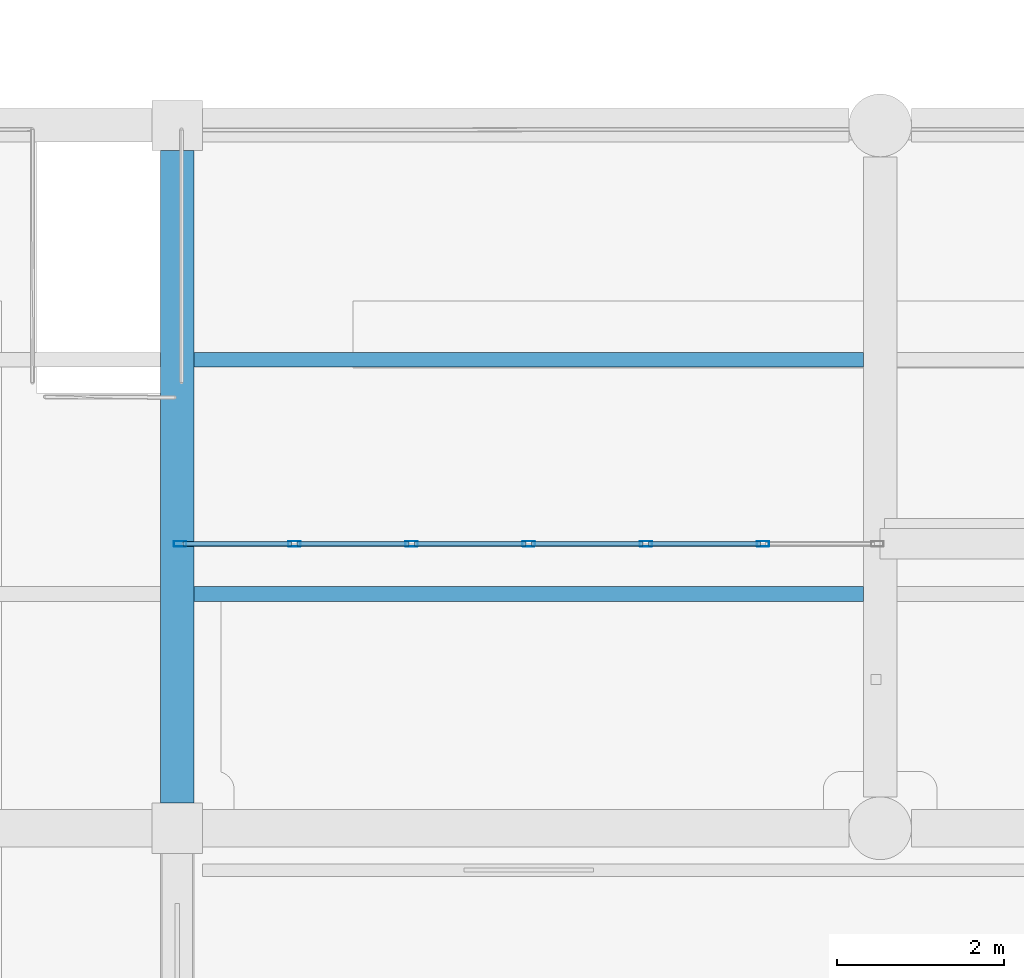
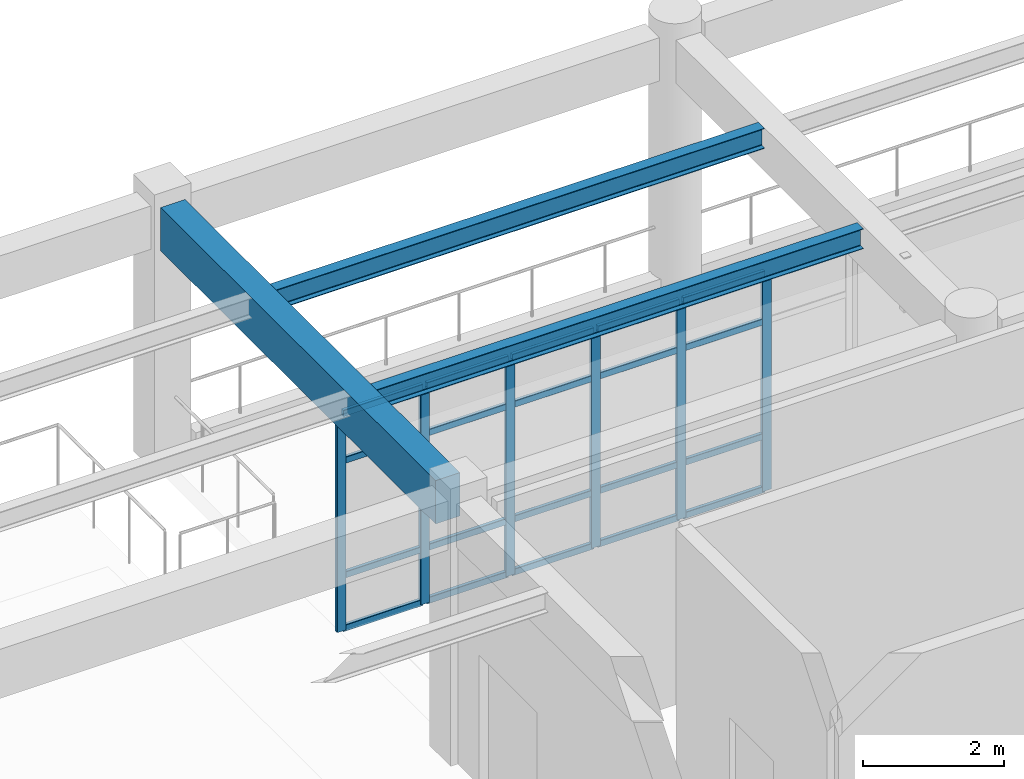
# One storey, part 7 of 111: 26 members, 3 beams, 1 element without a shape of its own.
"""IFC4 building model written with IfcOpenShell, lengths in metres."""

import ifcopenshell
import ifcopenshell.guid

model = None  # the IFC model being written
_history = None  # IfcOwnerHistory: only IFC2X3 demands one
_inside = {}  # id of a spatial element -> (the spatial element, [elements in it])
_under = {}  # id of a project, library or spatial element -> (it, [spatial elements below it])
_declared = {}  # id of a project -> (the project, [libraries it declares])
_typed = {}  # id of a type object -> (the type object, [elements of that type])
_made_of = {}  # id of a material, layer set ... -> (it, [elements and type objects made of it])


def new_model(schema):
    """Start an empty IFC model of exactly this schema.

    Asked for "IFC4X3", IfcOpenShell would pick the latest addendum, in which some entities
    have other attributes; the version numbers below select the first issue.
    IFC2X3 requires an IfcOwnerHistory on every rooted entity: one is made here for all.
    """
    global model, _history
    if schema == "IFC4X3":
        model = ifcopenshell.file(schema_version=(4, 3, 0, 0))
    else:
        model = ifcopenshell.file(schema=schema)
    _inside.clear()
    _under.clear()
    _declared.clear()
    _typed.clear()
    _made_of.clear()
    _history = None
    if model.schema == "IFC2X3":
        org = make("IfcOrganization", Name="unknown")
        user = make(
            "IfcPersonAndOrganization",
            ThePerson=make("IfcPerson", FamilyName="unknown"),
            TheOrganization=org,
        )
        app = make(
            "IfcApplication",
            ApplicationDeveloper=org,
            Version="unknown",
            ApplicationFullName="unknown",
            ApplicationIdentifier="unknown",
        )
        _history = make(
            "IfcOwnerHistory",
            OwningUser=user,
            OwningApplication=app,
            ChangeAction="ADDED",
            CreationDate=0,
        )
    return model


def make(cls, **values):
    """One entity of the class cls with the attributes given. An attribute that is None is left unset."""
    return model.create_entity(
        cls, **{name: value for name, value in values.items() if value is not None}
    )


def rooted(cls, **values):
    """An entity with a GlobalId (a new one), such as an element, a storey or a relation."""
    return make(cls, GlobalId=ifcopenshell.guid.new(), OwnerHistory=_history, **values)


def si_unit(unit_type, name, prefix=None):
    """IfcSIUnit, for example si_unit("LENGTHUNIT", "METRE", prefix="MILLI")."""
    return make("IfcSIUnit", UnitType=unit_type, Prefix=prefix, Name=name)


def assignment(units):
    """IfcUnitAssignment: the units of a project."""
    return None if units is None else make("IfcUnitAssignment", Units=units)


def point(xyz):
    """IfcCartesianPoint."""
    return None if xyz is None else make("IfcCartesianPoint", Coordinates=xyz)


def direction(xyz):
    """IfcDirection."""
    return None if xyz is None else make("IfcDirection", DirectionRatios=xyz)


def frame(location, z_axis=None, x_axis=None):
    """IfcAxis2Placement3D, a coordinate frame: its origin and axes. An axis left out is left unset."""
    return make(
        "IfcAxis2Placement3D",
        Location=point(location),
        Axis=direction(z_axis),
        RefDirection=direction(x_axis),
    )


def frame_2d(location, x_axis=None):
    """IfcAxis2Placement2D, a coordinate frame in the plane: its origin and x axis."""
    return make(
        "IfcAxis2Placement2D", Location=point(location), RefDirection=direction(x_axis)
    )


def origin():
    """The frame at (0, 0, 0) with its axes left unset."""
    return frame((0.0, 0.0, 0.0))


def origin_2d():
    """The frame at (0, 0) in the plane with its x axis left unset."""
    return frame_2d((0.0, 0.0))


def place(relative_to, where):
    """IfcLocalPlacement: puts the frame where relative to a parent placement (None: the world)."""
    return make(
        "IfcLocalPlacement", PlacementRelTo=relative_to, RelativePlacement=where
    )


def context(
    kind, dimensions, precision=None, world=None, true_north=None, identifier=None
):
    """IfcGeometricRepresentationContext, for example the 3D "Model" context."""
    return make(
        "IfcGeometricRepresentationContext",
        ContextIdentifier=identifier,
        ContextType=kind,
        CoordinateSpaceDimension=dimensions,
        Precision=precision,
        WorldCoordinateSystem=world,
        TrueNorth=true_north,
    )


def subcontext(parent, identifier, kind, view, scale=None):
    """IfcGeometricRepresentationSubContext, for example "Body" below "Model"."""
    return make(
        "IfcGeometricRepresentationSubContext",
        ContextIdentifier=identifier,
        ContextType=kind,
        ParentContext=parent,
        TargetScale=scale,
        TargetView=view,
    )


def project(units=None, contexts=None):
    """IfcProject with its units and contexts."""
    return rooted(
        "IfcProject",
        Name="project",
        RepresentationContexts=contexts,
        UnitsInContext=assignment(units),
    )


def spatial(cls, under=None, at=None, **own):
    """A site, building, storey or space (cls), placed at a placement, below another one or the project."""
    s = rooted(cls, ObjectPlacement=at, **own)
    if under is not None:
        _under.setdefault(under.id(), (under, []))[1].append(s)
    return s


def profile(cls, at=None, kind="AREA", **sizes):
    """A parametric profile (cls). Its sizes go by their IFC names, for example OverallWidth=200.0."""
    return make(cls, ProfileType=kind, Position=at, **sizes)


def rectangle(**sizes):
    """IfcRectangleProfileDef."""
    return profile("IfcRectangleProfileDef", **sizes)


def hollow_rectangle(**sizes):
    """IfcRectangleHollowProfileDef."""
    return profile("IfcRectangleHollowProfileDef", **sizes)


def i_section(**sizes):
    """IfcIShapeProfileDef."""
    return profile("IfcIShapeProfileDef", **sizes)


def extrude(swept, where, along, depth):
    """IfcExtrudedAreaSolid: the profile swept, set in the frame where, extruded along a direction by depth."""
    return make(
        "IfcExtrudedAreaSolid",
        SweptArea=swept,
        Position=where,
        ExtrudedDirection=direction(along),
        Depth=depth,
    )


def shape(context_of_items, identifier, shape_type, items):
    """IfcShapeRepresentation: the items that make up one representation, for example the "Body"."""
    return make(
        "IfcShapeRepresentation",
        ContextOfItems=context_of_items,
        RepresentationIdentifier=identifier,
        RepresentationType=shape_type,
        Items=items,
    )


def material(Name=None, Category=None):
    """IfcMaterial."""
    return make("IfcMaterial", Name=Name, Category=Category)


def material_profile(
    of_material, cross_section, Name=None, Category=None, Priority=None
):
    """IfcMaterialProfile: a cross section and its material."""
    return make(
        "IfcMaterialProfile",
        Name=Name,
        Material=of_material,
        Profile=cross_section,
        Priority=Priority,
        Category=Category,
    )


def profile_set(profiles, Name=None, composite=None):
    """IfcMaterialProfileSet."""
    return make(
        "IfcMaterialProfileSet",
        Name=Name,
        MaterialProfiles=profiles,
        CompositeProfile=composite,
    )


def made_of(thing, what):
    """Note that an element or type object is made of a material, layer set ...; save() writes the relation."""
    if what is not None:
        _made_of.setdefault(what.id(), (what, []))[1].append(thing)
    return thing


def type_object(cls, material=None, **own):
    """A type object (cls), such as IfcWallType, which elements share."""
    return made_of(rooted(cls, **own), material)


def element(
    cls,
    number,
    at=None,
    inside=None,
    cuts=None,
    type_object=None,
    material=None,
    context=None,
    identifier="Body",
    shape_type=None,
    held_by="IfcProductDefinitionShape",
    body=None,
    shapes=None,
    **own,
):
    """One element of the class cls, such as IfcWall. Its Tag is "e" and its number.

    at: its placement. inside: the storey or other place that contains it. cuts: it is an
    opening in that element (IfcRelVoidsElement). A single representation is given by context,
    identifier, shape_type and body (its items); several are given by shapes. held_by: the class
    of the entity that holds the representations. save() writes the other relations.
    """
    e = rooted(cls, Tag="e%d" % number, ObjectPlacement=at, **own)
    if body is not None:
        shapes = [shape(context, identifier, shape_type, body)]
    if shapes is not None:
        e.Representation = make(held_by, Representations=shapes)
    if inside is not None:
        _inside.setdefault(inside.id(), (inside, []))[1].append(e)
    if cuts is not None:
        rooted(
            "IfcRelVoidsElement", RelatingBuildingElement=cuts, RelatedOpeningElement=e
        )
    if type_object is not None:
        _typed.setdefault(type_object.id(), (type_object, []))[1].append(e)
    return made_of(e, material)


def aggregate(whole, parts):
    """IfcRelAggregates: a whole, such as a stair, and the parts it consists of."""
    return rooted("IfcRelAggregates", RelatingObject=whole, RelatedObjects=parts)


def save(model, path):
    """Write the relations noted so far, then the file.

    IfcRelAggregates (storeys below a building ...), IfcRelContainedInSpatialStructure (elements
    in a storey), IfcRelDefinesByType, IfcRelAssociatesMaterial and IfcRelDeclares: one each for
    every whole, place, type object, material and project.
    """
    for whole, parts in _under.values():
        aggregate(whole, parts)
    for where, things in _inside.values():
        rooted(
            "IfcRelContainedInSpatialStructure",
            RelatedElements=things,
            RelatingStructure=where,
        )
    for kind, things in _typed.values():
        rooted("IfcRelDefinesByType", RelatedObjects=things, RelatingType=kind)
    for what, things in _made_of.values():
        rooted("IfcRelAssociatesMaterial", RelatedObjects=things, RelatingMaterial=what)
    for by, libraries in _declared.values():
        rooted("IfcRelDeclares", RelatingContext=by, RelatedDefinitions=libraries)
    model.write(path)


model = new_model("IFC4")

# Units and contexts
model_context = context("Model", 3, precision=1e-05, world=origin(), true_north=direction((0.0, 1.0)))
body_context = subcontext(model_context, "Body", "Model", "MODEL_VIEW")
ifc_project = project(units=[si_unit("LENGTHUNIT", "METRE"), si_unit("AREAUNIT", "SQUARE_METRE"), si_unit("VOLUMEUNIT", "CUBIC_METRE"), si_unit("PLANEANGLEUNIT", "RADIAN"), si_unit("MASSUNIT", "GRAM", prefix="KILO")], contexts=[model_context])

# Site, building, storey
site_placement = place(None, origin())
site = spatial("IfcSite", under=ifc_project, at=site_placement, CompositionType="ELEMENT")
building_placement = place(site_placement, origin())
building = spatial("IfcBuilding", under=site, at=building_placement, Name="Canglan Escarpment Cableway Terminal", CompositionType="ELEMENT")
storey_placement = place(building_placement, frame((0.0, 0.0, 4.800048828125)))
storey = spatial("IfcBuildingStorey", under=building, at=storey_placement, Name="L01", CompositionType="ELEMENT", Elevation=4.800048828125)

# Beam
ifc_material_1 = material(Name="Concrete C40", Category="concrete")
ifc_material_profile_1 = material_profile(ifc_material_1, rectangle(XDim=0.39990234375, YDim=0.75, at=origin_2d()), Name="RC 400x750")
ifc_profile_set_1 = profile_set([ifc_material_profile_1], Name="Concrete C40")
beam_type_1 = type_object("IfcBeamType", Name="BM-RC400x750", PredefinedType="BEAM", material=ifc_profile_set_1)
beam_placement = place(storey_placement, frame((16.39990234375, 16.699951171875, 4.175048828125), z_axis=(0.0, 1.0, 0.0), x_axis=(-1.0, 0.0, 0.0)))
element("IfcBeam", 1, at=beam_placement, inside=storey, type_object=beam_type_1, Name="Primary transverse girder B-03", PredefinedType="BEAM", context=body_context, shape_type="SweptSolid", body=[
    extrude(rectangle(XDim=0.39990234375, YDim=0.75, at=origin_2d()), origin(), (0.0, 0.0, 1.0), 7.800048828125),
])

# Curtain wall, members
ifc_material_2 = material(Name="Anodized bronze aluminium and Low-E double glazing", Category="aluminium")
curtain_wall_type = type_object("IfcCurtainWallType", Name="CW-BAY-8400x3775", PredefinedType="NOTDEFINED", material=ifc_material_2)
curtain_wall_placement = place(storey_placement, origin())
curtain_wall = element("IfcCurtainWall", 2, at=curtain_wall_placement, inside=storey, type_object=curtain_wall_type, Name="Classical bay-between-piers glazed curtain wall CW-02", PredefinedType="NOTDEFINED")
ifc_material_3 = material(Name="Thermally broken anodized aluminium 6063-T6", Category="aluminium")
ifc_material_profile_2 = material_profile(ifc_material_3, hollow_rectangle(XDim=0.06494140625, YDim=0.14990234375, WallThickness=0.00341796875, InnerFilletRadius=0.00341796875, OuterFilletRadius=0.007080078125, at=origin_2d()), Name="ALU-MULL 65x150x3.5")
ifc_profile_set_2 = profile_set([ifc_material_profile_2], Name="Thermally broken anodized aluminium 6063-T6")
member_type_1 = type_object("IfcMemberType", Name="CWM-02", PredefinedType="MULLION", material=ifc_profile_set_2)
member_1_placement = place(storey_placement, frame((23.39990234375, 19.800048828125, 0.0), z_axis=(0.0, 0.0, 1.0), x_axis=(0.0, -1.0, 0.0)))
member_1 = element("IfcMember", 3, at=member_1_placement, type_object=member_type_1, Name="CW-02 mullion 2", PredefinedType="MULLION", context=body_context, shape_type="SweptSolid", body=[
    extrude(hollow_rectangle(XDim=0.06494140625, YDim=0.14990234375, WallThickness=0.00341796875, InnerFilletRadius=0.00341796875, OuterFilletRadius=0.007080078125, at=origin_2d()), origin(), (0.0, 0.0, 1.0), 3.784912109375),
])
member_2_placement = place(storey_placement, frame((22.0, 19.800048828125, 0.0), z_axis=(0.0, 0.0, 1.0), x_axis=(0.0, -1.0, 0.0)))
member_2 = element("IfcMember", 4, at=member_2_placement, type_object=member_type_1, Name="CW-02 mullion 3", PredefinedType="MULLION", context=body_context, shape_type="SweptSolid", body=[
    extrude(hollow_rectangle(XDim=0.06494140625, YDim=0.14990234375, WallThickness=0.00341796875, InnerFilletRadius=0.00341796875, OuterFilletRadius=0.007080078125, at=origin_2d()), origin(), (0.0, 0.0, 1.0), 3.784912109375),
])
member_3_placement = place(storey_placement, frame((20.60009765625, 19.800048828125, 0.0), z_axis=(0.0, 0.0, 1.0), x_axis=(0.0, -1.0, 0.0)))
member_3 = element("IfcMember", 5, at=member_3_placement, type_object=member_type_1, Name="CW-02 mullion 4", PredefinedType="MULLION", context=body_context, shape_type="SweptSolid", body=[
    extrude(hollow_rectangle(XDim=0.06494140625, YDim=0.14990234375, WallThickness=0.00341796875, InnerFilletRadius=0.00341796875, OuterFilletRadius=0.007080078125, at=origin_2d()), origin(), (0.0, 0.0, 1.0), 3.784912109375),
])
member_4_placement = place(storey_placement, frame((19.199951171875, 19.800048828125, 0.0), z_axis=(0.0, 0.0, 1.0), x_axis=(0.0, -1.0, 0.0)))
member_4 = element("IfcMember", 6, at=member_4_placement, type_object=member_type_1, Name="CW-02 mullion 5", PredefinedType="MULLION", context=body_context, shape_type="SweptSolid", body=[
    extrude(hollow_rectangle(XDim=0.06494140625, YDim=0.14990234375, WallThickness=0.00341796875, InnerFilletRadius=0.00341796875, OuterFilletRadius=0.007080078125, at=origin_2d()), origin(), (0.0, 0.0, 1.0), 3.784912109375),
])
member_5_placement = place(storey_placement, frame((17.800048828125, 19.800048828125, 0.0), z_axis=(0.0, 0.0, 1.0), x_axis=(0.0, -1.0, 0.0)))
member_5 = element("IfcMember", 7, at=member_5_placement, type_object=member_type_1, Name="CW-02 mullion 6", PredefinedType="MULLION", context=body_context, shape_type="SweptSolid", body=[
    extrude(hollow_rectangle(XDim=0.06494140625, YDim=0.14990234375, WallThickness=0.00341796875, InnerFilletRadius=0.00341796875, OuterFilletRadius=0.007080078125, at=origin_2d()), origin(), (0.0, 0.0, 1.0), 3.784912109375),
])
member_6_placement = place(storey_placement, frame((16.4326171875, 19.800048828125, 0.0), z_axis=(0.0, 0.0, 1.0), x_axis=(0.0, -1.0, 0.0)))
member_6 = element("IfcMember", 8, at=member_6_placement, type_object=member_type_1, Name="CW-02 mullion 7", PredefinedType="MULLION", context=body_context, shape_type="SweptSolid", body=[
    extrude(hollow_rectangle(XDim=0.06494140625, YDim=0.14990234375, WallThickness=0.00341796875, InnerFilletRadius=0.00341796875, OuterFilletRadius=0.007080078125, at=origin_2d()), origin(), (0.0, 0.0, 1.0), 3.784912109375),
])
ifc_material_profile_3 = material_profile(ifc_material_3, hollow_rectangle(XDim=0.06005859375, YDim=0.110107421875, WallThickness=0.0029296875, InnerFilletRadius=0.0029296875, OuterFilletRadius=0.006103515625, at=origin_2d()), Name="ALU-TRAN 60x110x3")
ifc_profile_set_3 = profile_set([ifc_material_profile_3], Name="Thermally broken anodized aluminium 6063-T6")
member_type_2 = type_object("IfcMemberType", Name="CWT-02", PredefinedType="USERDEFINED", material=ifc_profile_set_3)
member_7_placement = place(storey_placement, frame((23.367431640625, 19.800048828125, 0.030029296875), z_axis=(-1.0, 0.0, 0.0), x_axis=(0.0, -1.0, 0.0)))
member_7 = element("IfcMember", 9, at=member_7_placement, type_object=member_type_2, Name="CW-02 transom 2.1", ObjectType="TRANSOM", PredefinedType="USERDEFINED", context=body_context, shape_type="SweptSolid", body=[
    extrude(hollow_rectangle(XDim=0.06005859375, YDim=0.110107421875, WallThickness=0.0029296875, InnerFilletRadius=0.0029296875, OuterFilletRadius=0.006103515625, at=origin_2d()), origin(), (0.0, 0.0, 1.0), 1.3349609375),
])
member_8_placement = place(storey_placement, frame((23.367431640625, 19.800048828125, 0.949951171875), z_axis=(-1.0, 0.0, 0.0), x_axis=(0.0, -1.0, 0.0)))
member_8 = element("IfcMember", 10, at=member_8_placement, type_object=member_type_2, Name="CW-02 transom 2.2", ObjectType="TRANSOM", PredefinedType="USERDEFINED", context=body_context, shape_type="SweptSolid", body=[
    extrude(hollow_rectangle(XDim=0.06005859375, YDim=0.110107421875, WallThickness=0.0029296875, InnerFilletRadius=0.0029296875, OuterFilletRadius=0.006103515625, at=origin_2d()), origin(), (0.0, 0.0, 1.0), 1.3349609375),
])
member_9_placement = place(storey_placement, frame((23.367431640625, 19.800048828125, 2.93505859375), z_axis=(-1.0, 0.0, 0.0), x_axis=(0.0, -1.0, 0.0)))
member_9 = element("IfcMember", 11, at=member_9_placement, type_object=member_type_2, Name="CW-02 transom 2.3", ObjectType="TRANSOM", PredefinedType="USERDEFINED", context=body_context, shape_type="SweptSolid", body=[
    extrude(hollow_rectangle(XDim=0.06005859375, YDim=0.110107421875, WallThickness=0.0029296875, InnerFilletRadius=0.0029296875, OuterFilletRadius=0.006103515625, at=origin_2d()), origin(), (0.0, 0.0, 1.0), 1.3349609375),
])
member_10_placement = place(storey_placement, frame((23.367431640625, 19.800048828125, 3.7548828125), z_axis=(-1.0, 0.0, 0.0), x_axis=(0.0, -1.0, 0.0)))
member_10 = element("IfcMember", 12, at=member_10_placement, type_object=member_type_2, Name="CW-02 transom 2.4", ObjectType="TRANSOM", PredefinedType="USERDEFINED", context=body_context, shape_type="SweptSolid", body=[
    extrude(hollow_rectangle(XDim=0.06005859375, YDim=0.110107421875, WallThickness=0.0029296875, InnerFilletRadius=0.0029296875, OuterFilletRadius=0.006103515625, at=origin_2d()), origin(), (0.0, 0.0, 1.0), 1.3349609375),
])
member_11_placement = place(storey_placement, frame((21.967529296875, 19.800048828125, 0.030029296875), z_axis=(-1.0, 0.0, 0.0), x_axis=(0.0, -1.0, 0.0)))
member_11 = element("IfcMember", 13, at=member_11_placement, type_object=member_type_2, Name="CW-02 transom 3.1", ObjectType="TRANSOM", PredefinedType="USERDEFINED", context=body_context, shape_type="SweptSolid", body=[
    extrude(hollow_rectangle(XDim=0.06005859375, YDim=0.110107421875, WallThickness=0.0029296875, InnerFilletRadius=0.0029296875, OuterFilletRadius=0.006103515625, at=origin_2d()), origin(), (0.0, 0.0, 1.0), 1.3349609375),
])
member_12_placement = place(storey_placement, frame((21.967529296875, 19.800048828125, 0.949951171875), z_axis=(-1.0, 0.0, 0.0), x_axis=(0.0, -1.0, 0.0)))
member_12 = element("IfcMember", 14, at=member_12_placement, type_object=member_type_2, Name="CW-02 transom 3.2", ObjectType="TRANSOM", PredefinedType="USERDEFINED", context=body_context, shape_type="SweptSolid", body=[
    extrude(hollow_rectangle(XDim=0.06005859375, YDim=0.110107421875, WallThickness=0.0029296875, InnerFilletRadius=0.0029296875, OuterFilletRadius=0.006103515625, at=origin_2d()), origin(), (0.0, 0.0, 1.0), 1.3349609375),
])
member_13_placement = place(storey_placement, frame((21.967529296875, 19.800048828125, 2.93505859375), z_axis=(-1.0, 0.0, 0.0), x_axis=(0.0, -1.0, 0.0)))
member_13 = element("IfcMember", 15, at=member_13_placement, type_object=member_type_2, Name="CW-02 transom 3.3", ObjectType="TRANSOM", PredefinedType="USERDEFINED", context=body_context, shape_type="SweptSolid", body=[
    extrude(hollow_rectangle(XDim=0.06005859375, YDim=0.110107421875, WallThickness=0.0029296875, InnerFilletRadius=0.0029296875, OuterFilletRadius=0.006103515625, at=origin_2d()), origin(), (0.0, 0.0, 1.0), 1.3349609375),
])
member_14_placement = place(storey_placement, frame((21.967529296875, 19.800048828125, 3.7548828125), z_axis=(-1.0, 0.0, 0.0), x_axis=(0.0, -1.0, 0.0)))
member_14 = element("IfcMember", 16, at=member_14_placement, type_object=member_type_2, Name="CW-02 transom 3.4", ObjectType="TRANSOM", PredefinedType="USERDEFINED", context=body_context, shape_type="SweptSolid", body=[
    extrude(hollow_rectangle(XDim=0.06005859375, YDim=0.110107421875, WallThickness=0.0029296875, InnerFilletRadius=0.0029296875, OuterFilletRadius=0.006103515625, at=origin_2d()), origin(), (0.0, 0.0, 1.0), 1.3349609375),
])
member_15_placement = place(storey_placement, frame((20.5673828125, 19.800048828125, 0.030029296875), z_axis=(-1.0, 0.0, 0.0), x_axis=(0.0, -1.0, 0.0)))
member_15 = element("IfcMember", 17, at=member_15_placement, type_object=member_type_2, Name="CW-02 transom 4.1", ObjectType="TRANSOM", PredefinedType="USERDEFINED", context=body_context, shape_type="SweptSolid", body=[
    extrude(hollow_rectangle(XDim=0.06005859375, YDim=0.110107421875, WallThickness=0.0029296875, InnerFilletRadius=0.0029296875, OuterFilletRadius=0.006103515625, at=origin_2d()), origin(), (0.0, 0.0, 1.0), 1.3349609375),
])
member_16_placement = place(storey_placement, frame((20.5673828125, 19.800048828125, 0.949951171875), z_axis=(-1.0, 0.0, 0.0), x_axis=(0.0, -1.0, 0.0)))
member_16 = element("IfcMember", 18, at=member_16_placement, type_object=member_type_2, Name="CW-02 transom 4.2", ObjectType="TRANSOM", PredefinedType="USERDEFINED", context=body_context, shape_type="SweptSolid", body=[
    extrude(hollow_rectangle(XDim=0.06005859375, YDim=0.110107421875, WallThickness=0.0029296875, InnerFilletRadius=0.0029296875, OuterFilletRadius=0.006103515625, at=origin_2d()), origin(), (0.0, 0.0, 1.0), 1.3349609375),
])
member_17_placement = place(storey_placement, frame((20.5673828125, 19.800048828125, 2.93505859375), z_axis=(-1.0, 0.0, 0.0), x_axis=(0.0, -1.0, 0.0)))
member_17 = element("IfcMember", 19, at=member_17_placement, type_object=member_type_2, Name="CW-02 transom 4.3", ObjectType="TRANSOM", PredefinedType="USERDEFINED", context=body_context, shape_type="SweptSolid", body=[
    extrude(hollow_rectangle(XDim=0.06005859375, YDim=0.110107421875, WallThickness=0.0029296875, InnerFilletRadius=0.0029296875, OuterFilletRadius=0.006103515625, at=origin_2d()), origin(), (0.0, 0.0, 1.0), 1.3349609375),
])
member_18_placement = place(storey_placement, frame((20.5673828125, 19.800048828125, 3.7548828125), z_axis=(-1.0, 0.0, 0.0), x_axis=(0.0, -1.0, 0.0)))
member_18 = element("IfcMember", 20, at=member_18_placement, type_object=member_type_2, Name="CW-02 transom 4.4", ObjectType="TRANSOM", PredefinedType="USERDEFINED", context=body_context, shape_type="SweptSolid", body=[
    extrude(hollow_rectangle(XDim=0.06005859375, YDim=0.110107421875, WallThickness=0.0029296875, InnerFilletRadius=0.0029296875, OuterFilletRadius=0.006103515625, at=origin_2d()), origin(), (0.0, 0.0, 1.0), 1.3349609375),
])
member_19_placement = place(storey_placement, frame((19.16748046875, 19.800048828125, 0.030029296875), z_axis=(-1.0, 0.0, 0.0), x_axis=(0.0, -1.0, 0.0)))
member_19 = element("IfcMember", 21, at=member_19_placement, type_object=member_type_2, Name="CW-02 transom 5.1", ObjectType="TRANSOM", PredefinedType="USERDEFINED", context=body_context, shape_type="SweptSolid", body=[
    extrude(hollow_rectangle(XDim=0.06005859375, YDim=0.110107421875, WallThickness=0.0029296875, InnerFilletRadius=0.0029296875, OuterFilletRadius=0.006103515625, at=origin_2d()), origin(), (0.0, 0.0, 1.0), 1.3349609375),
])
member_20_placement = place(storey_placement, frame((19.16748046875, 19.800048828125, 0.949951171875), z_axis=(-1.0, 0.0, 0.0), x_axis=(0.0, -1.0, 0.0)))
member_20 = element("IfcMember", 22, at=member_20_placement, type_object=member_type_2, Name="CW-02 transom 5.2", ObjectType="TRANSOM", PredefinedType="USERDEFINED", context=body_context, shape_type="SweptSolid", body=[
    extrude(hollow_rectangle(XDim=0.06005859375, YDim=0.110107421875, WallThickness=0.0029296875, InnerFilletRadius=0.0029296875, OuterFilletRadius=0.006103515625, at=origin_2d()), origin(), (0.0, 0.0, 1.0), 1.3349609375),
])
member_21_placement = place(storey_placement, frame((19.16748046875, 19.800048828125, 2.93505859375), z_axis=(-1.0, 0.0, 0.0), x_axis=(0.0, -1.0, 0.0)))
member_21 = element("IfcMember", 23, at=member_21_placement, type_object=member_type_2, Name="CW-02 transom 5.3", ObjectType="TRANSOM", PredefinedType="USERDEFINED", context=body_context, shape_type="SweptSolid", body=[
    extrude(hollow_rectangle(XDim=0.06005859375, YDim=0.110107421875, WallThickness=0.0029296875, InnerFilletRadius=0.0029296875, OuterFilletRadius=0.006103515625, at=origin_2d()), origin(), (0.0, 0.0, 1.0), 1.3349609375),
])
member_22_placement = place(storey_placement, frame((19.16748046875, 19.800048828125, 3.7548828125), z_axis=(-1.0, 0.0, 0.0), x_axis=(0.0, -1.0, 0.0)))
member_22 = element("IfcMember", 24, at=member_22_placement, type_object=member_type_2, Name="CW-02 transom 5.4", ObjectType="TRANSOM", PredefinedType="USERDEFINED", context=body_context, shape_type="SweptSolid", body=[
    extrude(hollow_rectangle(XDim=0.06005859375, YDim=0.110107421875, WallThickness=0.0029296875, InnerFilletRadius=0.0029296875, OuterFilletRadius=0.006103515625, at=origin_2d()), origin(), (0.0, 0.0, 1.0), 1.3349609375),
])
member_23_placement = place(storey_placement, frame((17.767578125, 19.800048828125, 0.030029296875), z_axis=(-1.0, 0.0, 0.0), x_axis=(0.0, -1.0, 0.0)))
member_23 = element("IfcMember", 25, at=member_23_placement, type_object=member_type_2, Name="CW-02 transom 6.1", ObjectType="TRANSOM", PredefinedType="USERDEFINED", context=body_context, shape_type="SweptSolid", body=[
    extrude(hollow_rectangle(XDim=0.06005859375, YDim=0.110107421875, WallThickness=0.0029296875, InnerFilletRadius=0.0029296875, OuterFilletRadius=0.006103515625, at=origin_2d()), origin(), (0.0, 0.0, 1.0), 1.302490234375),
])
member_24_placement = place(storey_placement, frame((17.767578125, 19.800048828125, 0.949951171875), z_axis=(-1.0, 0.0, 0.0), x_axis=(0.0, -1.0, 0.0)))
member_24 = element("IfcMember", 26, at=member_24_placement, type_object=member_type_2, Name="CW-02 transom 6.2", ObjectType="TRANSOM", PredefinedType="USERDEFINED", context=body_context, shape_type="SweptSolid", body=[
    extrude(hollow_rectangle(XDim=0.06005859375, YDim=0.110107421875, WallThickness=0.0029296875, InnerFilletRadius=0.0029296875, OuterFilletRadius=0.006103515625, at=origin_2d()), origin(), (0.0, 0.0, 1.0), 1.302490234375),
])
member_25_placement = place(storey_placement, frame((17.767578125, 19.800048828125, 2.93505859375), z_axis=(-1.0, 0.0, 0.0), x_axis=(0.0, -1.0, 0.0)))
member_25 = element("IfcMember", 27, at=member_25_placement, type_object=member_type_2, Name="CW-02 transom 6.3", ObjectType="TRANSOM", PredefinedType="USERDEFINED", context=body_context, shape_type="SweptSolid", body=[
    extrude(hollow_rectangle(XDim=0.06005859375, YDim=0.110107421875, WallThickness=0.0029296875, InnerFilletRadius=0.0029296875, OuterFilletRadius=0.006103515625, at=origin_2d()), origin(), (0.0, 0.0, 1.0), 1.302490234375),
])
member_26_placement = place(storey_placement, frame((17.767578125, 19.800048828125, 3.7548828125), z_axis=(-1.0, 0.0, 0.0), x_axis=(0.0, -1.0, 0.0)))
member_26 = element("IfcMember", 28, at=member_26_placement, type_object=member_type_2, Name="CW-02 transom 6.4", ObjectType="TRANSOM", PredefinedType="USERDEFINED", context=body_context, shape_type="SweptSolid", body=[
    extrude(hollow_rectangle(XDim=0.06005859375, YDim=0.110107421875, WallThickness=0.0029296875, InnerFilletRadius=0.0029296875, OuterFilletRadius=0.006103515625, at=origin_2d()), origin(), (0.0, 0.0, 1.0), 1.302490234375),
])
aggregate(curtain_wall, [member_1, member_2, member_3, member_4, member_5, member_6, member_7, member_8, member_9, member_10, member_11, member_12, member_13, member_14, member_15, member_16, member_17, member_18, member_19, member_20, member_21, member_22, member_23, member_24, member_25, member_26])

# Beams
ifc_material_4 = material(Name="Steel Q355B", Category="steel")
ifc_material_profile_4 = material_profile(ifc_material_4, i_section(OverallWidth=0.175048828125, OverallDepth=0.35009765625, WebThickness=0.007080078125, FlangeThickness=0.010986328125, FilletRadius=0.013916015625, at=origin_2d()), Name="HN 350x175x7x11")
ifc_profile_set_4 = profile_set([ifc_material_profile_4], Name="Steel Q355B")
beam_type_2 = type_object("IfcBeamType", Name="JS-HN350", PredefinedType="JOIST", material=ifc_profile_set_4)
for number, where, z_axis, x_axis, name in (
    (29, (16.60009765625, 19.199951171875, 4.3349609375), (1.0, 0.0, 0.0), (0.0, 1.0, 0.0), "Secondary composite deck joist J-04"),
    (30, (16.60009765625, 22.0, 4.375), (1.0, 0.0, 0.0), (0.0, 1.0, 0.0), "Secondary composite deck joist J-04"),
):
    element("IfcBeam", number, at=place(storey_placement, frame(where, z_axis=z_axis, x_axis=x_axis)), inside=storey, type_object=beam_type_2, Name=name, PredefinedType="JOIST", context=body_context, shape_type="SweptSolid", body=[
        extrude(i_section(OverallWidth=0.175048828125, OverallDepth=0.35009765625, WebThickness=0.007080078125, FlangeThickness=0.010986328125, FilletRadius=0.013916015625, at=origin_2d()), origin(), (0.0, 0.0, 1.0), 8.0),
    ])

save(model, "model.ifc")
